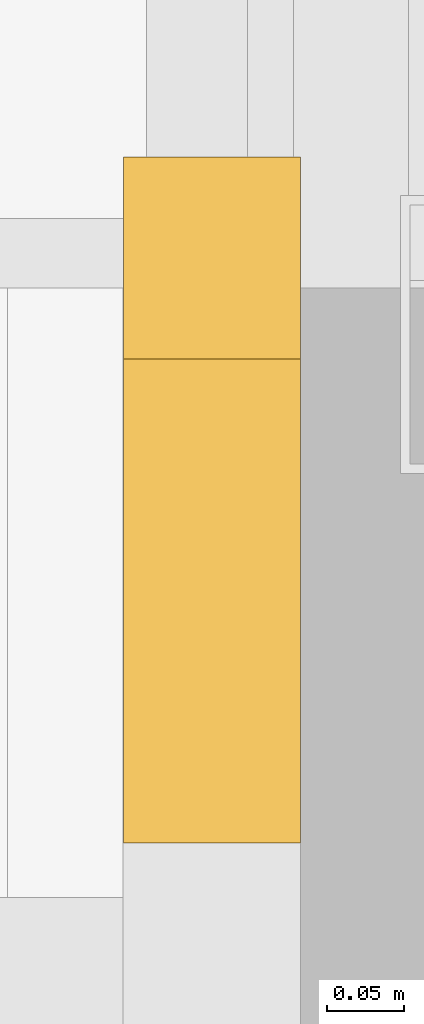
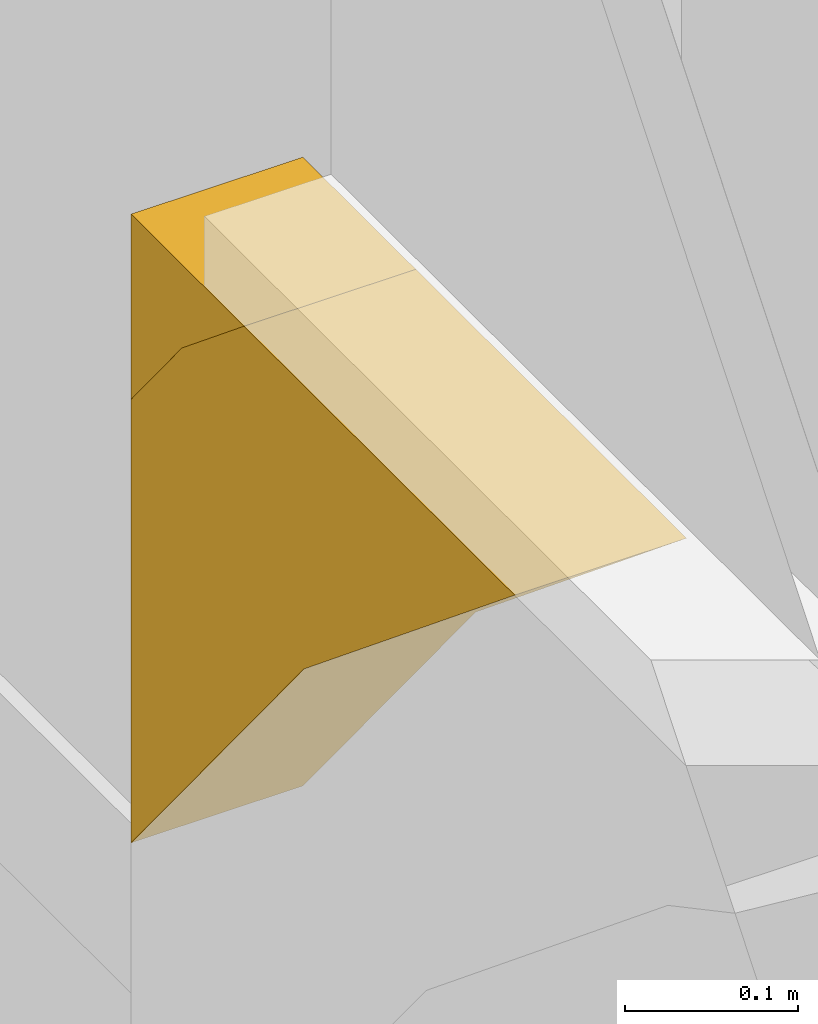
# One storey, part 211 of 212: 2 coverings.
"""IFC4 building model written with IfcOpenShell, lengths in metres."""

import ifcopenshell
import ifcopenshell.guid

model = None  # the IFC model being written
_history = None  # IfcOwnerHistory: only IFC2X3 demands one
_inside = {}  # id of a spatial element -> (the spatial element, [elements in it])
_under = {}  # id of a project, library or spatial element -> (it, [spatial elements below it])
_declared = {}  # id of a project -> (the project, [libraries it declares])
_typed = {}  # id of a type object -> (the type object, [elements of that type])
_made_of = {}  # id of a material, layer set ... -> (it, [elements and type objects made of it])


def new_model(schema):
    """Start an empty IFC model of exactly this schema.

    Asked for "IFC4X3", IfcOpenShell would pick the latest addendum, in which some entities
    have other attributes; the version numbers below select the first issue.
    IFC2X3 requires an IfcOwnerHistory on every rooted entity: one is made here for all.
    """
    global model, _history
    if schema == "IFC4X3":
        model = ifcopenshell.file(schema_version=(4, 3, 0, 0))
    else:
        model = ifcopenshell.file(schema=schema)
    _inside.clear()
    _under.clear()
    _declared.clear()
    _typed.clear()
    _made_of.clear()
    _history = None
    if model.schema == "IFC2X3":
        org = make("IfcOrganization", Name="unknown")
        user = make(
            "IfcPersonAndOrganization",
            ThePerson=make("IfcPerson", FamilyName="unknown"),
            TheOrganization=org,
        )
        app = make(
            "IfcApplication",
            ApplicationDeveloper=org,
            Version="unknown",
            ApplicationFullName="unknown",
            ApplicationIdentifier="unknown",
        )
        _history = make(
            "IfcOwnerHistory",
            OwningUser=user,
            OwningApplication=app,
            ChangeAction="ADDED",
            CreationDate=0,
        )
    return model


def make(cls, **values):
    """One entity of the class cls with the attributes given. An attribute that is None is left unset."""
    return model.create_entity(
        cls, **{name: value for name, value in values.items() if value is not None}
    )


def rooted(cls, **values):
    """An entity with a GlobalId (a new one), such as an element, a storey or a relation."""
    return make(cls, GlobalId=ifcopenshell.guid.new(), OwnerHistory=_history, **values)


def si_unit(unit_type, name, prefix=None):
    """IfcSIUnit, for example si_unit("LENGTHUNIT", "METRE", prefix="MILLI")."""
    return make("IfcSIUnit", UnitType=unit_type, Prefix=prefix, Name=name)


def assignment(units):
    """IfcUnitAssignment: the units of a project."""
    return None if units is None else make("IfcUnitAssignment", Units=units)


def point(xyz):
    """IfcCartesianPoint."""
    return None if xyz is None else make("IfcCartesianPoint", Coordinates=xyz)


def direction(xyz):
    """IfcDirection."""
    return None if xyz is None else make("IfcDirection", DirectionRatios=xyz)


def frame(location, z_axis=None, x_axis=None):
    """IfcAxis2Placement3D, a coordinate frame: its origin and axes. An axis left out is left unset."""
    return make(
        "IfcAxis2Placement3D",
        Location=point(location),
        Axis=direction(z_axis),
        RefDirection=direction(x_axis),
    )


def origin():
    """The frame at (0, 0, 0) with its axes left unset."""
    return frame((0.0, 0.0, 0.0))


def place(relative_to, where):
    """IfcLocalPlacement: puts the frame where relative to a parent placement (None: the world)."""
    return make(
        "IfcLocalPlacement", PlacementRelTo=relative_to, RelativePlacement=where
    )


def context(
    kind, dimensions, precision=None, world=None, true_north=None, identifier=None
):
    """IfcGeometricRepresentationContext, for example the 3D "Model" context."""
    return make(
        "IfcGeometricRepresentationContext",
        ContextIdentifier=identifier,
        ContextType=kind,
        CoordinateSpaceDimension=dimensions,
        Precision=precision,
        WorldCoordinateSystem=world,
        TrueNorth=true_north,
    )


def subcontext(parent, identifier, kind, view, scale=None):
    """IfcGeometricRepresentationSubContext, for example "Body" below "Model"."""
    return make(
        "IfcGeometricRepresentationSubContext",
        ContextIdentifier=identifier,
        ContextType=kind,
        ParentContext=parent,
        TargetScale=scale,
        TargetView=view,
    )


def project(units=None, contexts=None):
    """IfcProject with its units and contexts."""
    return rooted(
        "IfcProject",
        Name="project",
        RepresentationContexts=contexts,
        UnitsInContext=assignment(units),
    )


def spatial(cls, under=None, at=None, **own):
    """A site, building, storey or space (cls), placed at a placement, below another one or the project."""
    s = rooted(cls, ObjectPlacement=at, **own)
    if under is not None:
        _under.setdefault(under.id(), (under, []))[1].append(s)
    return s


def polyline(points):
    """IfcPolyline through the points."""
    return make("IfcPolyline", Points=[point(p) for p in points])


def outline(outer, holes=None, kind="AREA"):
    """IfcArbitraryClosedProfileDef: a profile drawn as a closed curve; with holes, ...WithVoids."""
    if holes is None:
        return make("IfcArbitraryClosedProfileDef", ProfileType=kind, OuterCurve=outer)
    return make(
        "IfcArbitraryProfileDefWithVoids",
        ProfileType=kind,
        OuterCurve=outer,
        InnerCurves=holes,
    )


def extrude(swept, where, along, depth):
    """IfcExtrudedAreaSolid: the profile swept, set in the frame where, extruded along a direction by depth."""
    return make(
        "IfcExtrudedAreaSolid",
        SweptArea=swept,
        Position=where,
        ExtrudedDirection=direction(along),
        Depth=depth,
    )


def shape(context_of_items, identifier, shape_type, items):
    """IfcShapeRepresentation: the items that make up one representation, for example the "Body"."""
    return make(
        "IfcShapeRepresentation",
        ContextOfItems=context_of_items,
        RepresentationIdentifier=identifier,
        RepresentationType=shape_type,
        Items=items,
    )


def material(Name=None, Category=None):
    """IfcMaterial."""
    return make("IfcMaterial", Name=Name, Category=Category)


def layer(
    of_material, thickness, ventilated=None, Name=None, Category=None, Priority=None
):
    """IfcMaterialLayer: one layer of a wall or slab, of a material (None: an air gap)."""
    return make(
        "IfcMaterialLayer",
        Material=of_material,
        LayerThickness=thickness,
        IsVentilated=ventilated,
        Name=Name,
        Category=Category,
        Priority=Priority,
    )


def layer_set(layers, Name=None):
    """IfcMaterialLayerSet."""
    return make("IfcMaterialLayerSet", MaterialLayers=layers, LayerSetName=Name)


def made_of(thing, what):
    """Note that an element or type object is made of a material, layer set ...; save() writes the relation."""
    if what is not None:
        _made_of.setdefault(what.id(), (what, []))[1].append(thing)
    return thing


def type_object(cls, material=None, **own):
    """A type object (cls), such as IfcWallType, which elements share."""
    return made_of(rooted(cls, **own), material)


def element(
    cls,
    number,
    at=None,
    inside=None,
    cuts=None,
    type_object=None,
    material=None,
    context=None,
    identifier="Body",
    shape_type=None,
    held_by="IfcProductDefinitionShape",
    body=None,
    shapes=None,
    **own,
):
    """One element of the class cls, such as IfcWall. Its Tag is "e" and its number.

    at: its placement. inside: the storey or other place that contains it. cuts: it is an
    opening in that element (IfcRelVoidsElement). A single representation is given by context,
    identifier, shape_type and body (its items); several are given by shapes. held_by: the class
    of the entity that holds the representations. save() writes the other relations.
    """
    e = rooted(cls, Tag="e%d" % number, ObjectPlacement=at, **own)
    if body is not None:
        shapes = [shape(context, identifier, shape_type, body)]
    if shapes is not None:
        e.Representation = make(held_by, Representations=shapes)
    if inside is not None:
        _inside.setdefault(inside.id(), (inside, []))[1].append(e)
    if cuts is not None:
        rooted(
            "IfcRelVoidsElement", RelatingBuildingElement=cuts, RelatedOpeningElement=e
        )
    if type_object is not None:
        _typed.setdefault(type_object.id(), (type_object, []))[1].append(e)
    return made_of(e, material)


def aggregate(whole, parts):
    """IfcRelAggregates: a whole, such as a stair, and the parts it consists of."""
    return rooted("IfcRelAggregates", RelatingObject=whole, RelatedObjects=parts)


def save(model, path):
    """Write the relations noted so far, then the file.

    IfcRelAggregates (storeys below a building ...), IfcRelContainedInSpatialStructure (elements
    in a storey), IfcRelDefinesByType, IfcRelAssociatesMaterial and IfcRelDeclares: one each for
    every whole, place, type object, material and project.
    """
    for whole, parts in _under.values():
        aggregate(whole, parts)
    for where, things in _inside.values():
        rooted(
            "IfcRelContainedInSpatialStructure",
            RelatedElements=things,
            RelatingStructure=where,
        )
    for kind, things in _typed.values():
        rooted("IfcRelDefinesByType", RelatedObjects=things, RelatingType=kind)
    for what, things in _made_of.values():
        rooted("IfcRelAssociatesMaterial", RelatedObjects=things, RelatingMaterial=what)
    for by, libraries in _declared.values():
        rooted("IfcRelDeclares", RelatingContext=by, RelatedDefinitions=libraries)
    model.write(path)


model = new_model("IFC4")

# Units and contexts
model_context = context("Model", 3, precision=1e-05, world=origin(), true_north=direction((0.0, 1.0)))
body_context = subcontext(model_context, "Body", "Model", "MODEL_VIEW")
ifc_project = project(units=[si_unit("LENGTHUNIT", "METRE"), si_unit("AREAUNIT", "SQUARE_METRE"), si_unit("VOLUMEUNIT", "CUBIC_METRE"), si_unit("PLANEANGLEUNIT", "RADIAN"), si_unit("MASSUNIT", "GRAM", prefix="KILO")], contexts=[model_context])

# Site, building, storey
site_placement = place(None, origin())
site = spatial("IfcSite", under=ifc_project, at=site_placement, CompositionType="ELEMENT")
building_placement = place(site_placement, origin())
building = spatial("IfcBuilding", under=site, at=building_placement, Name="Catenary Quay Ferry Terminal", CompositionType="ELEMENT")
storey_placement = place(building_placement, origin())
storey = spatial("IfcBuildingStorey", under=building, at=storey_placement, Name="L00", CompositionType="ELEMENT", Elevation=0.0)

# Coverings
ifc_material_1 = material(Name="Glazed ceramic tile, teal")
ifc_layer_1 = layer(ifc_material_1, 0.034912109375)
ifc_layer_set_1 = layer_set([ifc_layer_1], Name="TM1")
covering_type_1 = type_object("IfcCoveringType", Name="TM1", PredefinedType="CLADDING", material=ifc_layer_set_1)
covering_1_placement = place(storey_placement, frame((25.10009765625, 190.51904296875, 4.35009765625), z_axis=(1.0, 0.0, 0.0), x_axis=(0.0, 0.773139272758, -0.634236284771)))
element("IfcCovering", 1, at=covering_1_placement, inside=storey, type_object=covering_type_1, Name="Tile relief spandrel panel", PredefinedType="CLADDING", context=body_context, shape_type="SweptSolid", body=[
    extrude(outline(polyline([(0.0, 0.0), (0.09315460604932183, 6.938893903907228e-18), (0.18432312869140072, -0.018365512898870687), (0.10117252202102334, 0.08299576382741576), (0.0, 0.0)])), origin(), (0.0, 0.0, -1.0), 0.114990234375),
])
ifc_material_2 = material(Name="Glazed ceramic tile, ochre")
ifc_layer_2 = layer(ifc_material_2, 0.034912109375)
ifc_layer_set_2 = layer_set([ifc_layer_2], Name="TM3")
covering_type_2 = type_object("IfcCoveringType", Name="TM3", PredefinedType="CLADDING", material=ifc_layer_set_2)
covering_2_placement = place(storey_placement, frame((25.10009765625, 190.591064453125, 4.291015625), z_axis=(1.0, 0.0, 0.0), x_axis=(0.0, -0.773139272758, 0.634236284771)))
element("IfcCovering", 2, at=covering_2_placement, inside=storey, type_object=covering_type_2, Name="Tile relief spandrel panel", PredefinedType="CLADDING", context=body_context, shape_type="SweptSolid", body=[
    extrude(outline(polyline([(0.0, 0.0), (0.09315460604932183, 6.938893903907228e-18), (0.3357044023124095, 0.19897305320565162), (0.019634968272572356, 0.1989429804221012), (-0.2901415758477305, 0.2609153091619584), (-0.09116852264207888, 0.018365512898870687), (0.0, 0.0)])), origin(), (0.0, 0.0, -1.0), 0.114990234375),
])

save(model, "model.ifc")
